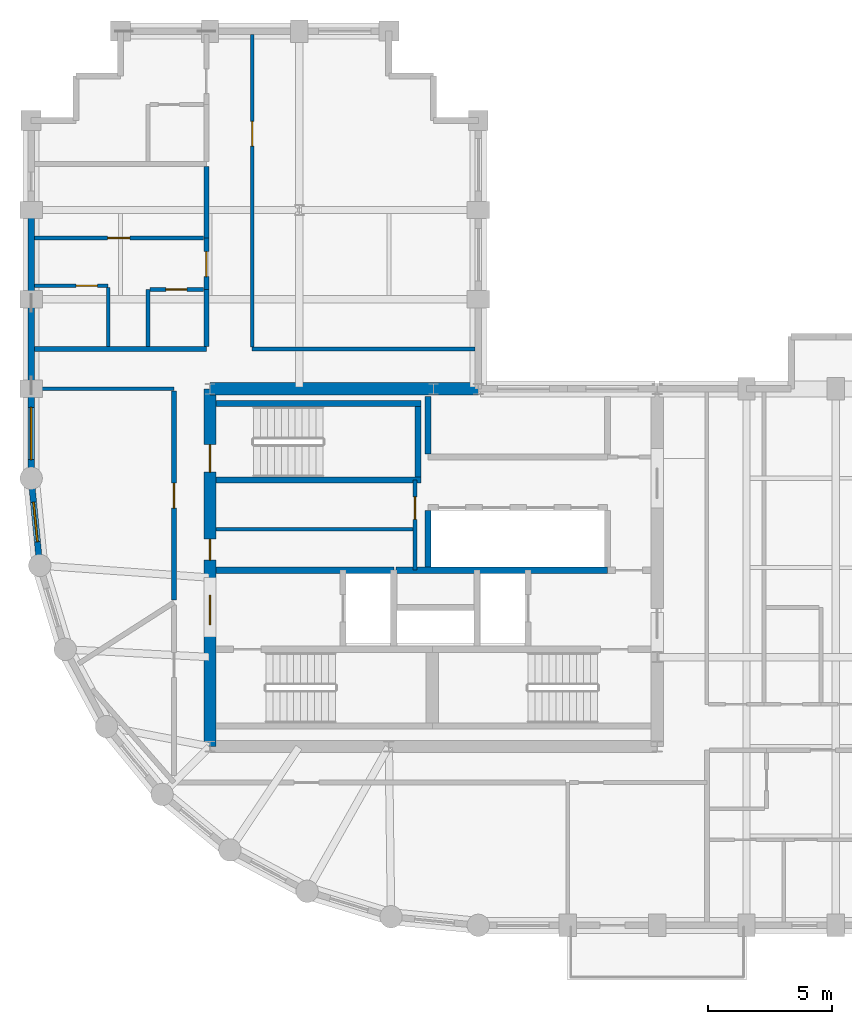
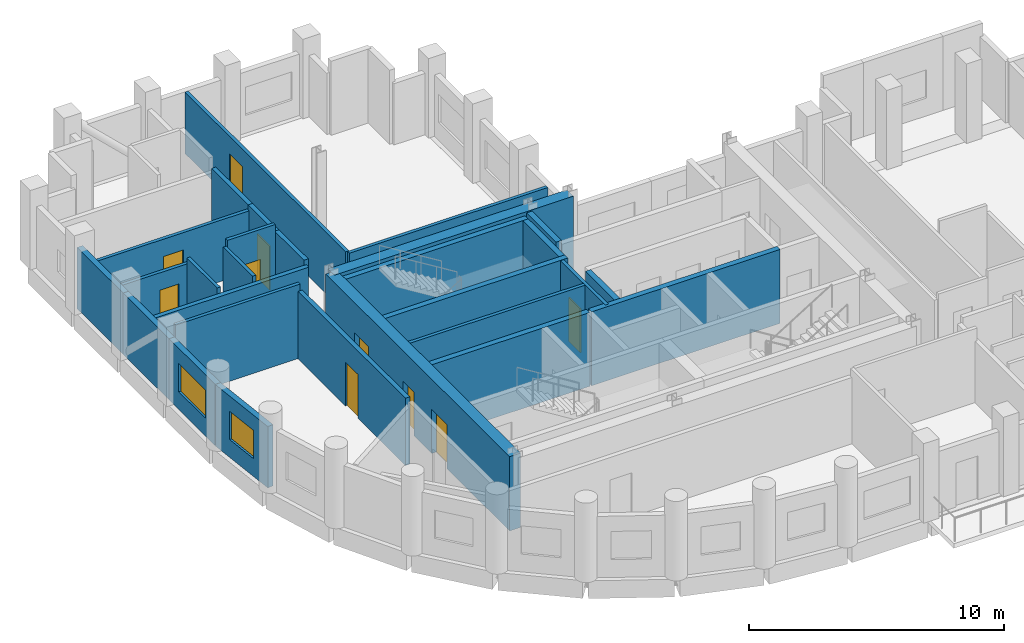
# One storey, part 4 of 8: 28 walls, 10 doors, 2 windows, 12 openings.
"""IFC4 building model written with IfcOpenShell, lengths in metres."""

from ifc_helpers import new_model, si_unit, direction, frame, frame_2d, origin, place, context, subcontext, project, spatial, rectangle, extrude, material, layer, layer_set, type_object, element, fill, save


model = new_model("IFC4")

# Units and contexts
model_context = context("Model", 3, precision=1e-05, world=origin(), true_north=direction((0.0, 1.0)))
body_context = subcontext(model_context, "Body", "Model", "MODEL_VIEW")
ifc_project = project(units=[si_unit("LENGTHUNIT", "METRE"), si_unit("AREAUNIT", "SQUARE_METRE"), si_unit("VOLUMEUNIT", "CUBIC_METRE"), si_unit("PLANEANGLEUNIT", "RADIAN"), si_unit("MASSUNIT", "GRAM", prefix="KILO")], contexts=[model_context])

# Site, building, storey
site_placement = place(None, origin())
site = spatial("IfcSite", under=ifc_project, at=site_placement, CompositionType="ELEMENT")
building_placement = place(site_placement, origin())
building = spatial("IfcBuilding", under=site, at=building_placement, Name="Solnavia Interchange Tower", CompositionType="ELEMENT")
storey_placement = place(building_placement, frame((0.0, 0.0, 178.60009765625)))
storey = spatial("IfcBuildingStorey", under=building, at=storey_placement, Name="L44", CompositionType="ELEMENT", Elevation=178.60009765625)

# Wall, opening, door
ifc_material_1 = material(Name="Gypsum Acoustic Twin-Stud & Mineral Wool", Category="gypsum")
ifc_layer_1 = layer(ifc_material_1, 0.199951171875)
ifc_layer_set_1 = layer_set([ifc_layer_1], Name="Gypsum Acoustic Twin-Stud & Mineral Wool")
wall_type_1 = type_object("IfcWallType", Name="Wall-ApartmentParty-200", PredefinedType="PARTITIONING", material=ifc_layer_set_1)
wall_1_placement = place(storey_placement, frame((12.949951171875, 16.7041015625, 0.0), z_axis=(0.0, 0.0, 1.0), x_axis=(0.0, 1.0, 0.0)))
wall_1 = element("IfcWall", 1, at=wall_1_placement, inside=storey, type_object=wall_type_1, Name="PTW-L44-11 Interior partition wall", PredefinedType="PARTITIONING", context=body_context, shape_type="SweptSolid", body=[
    extrude(rectangle(XDim=8.4169921875, YDim=0.199951171875, at=frame_2d((4.20849609375, 0.0))), origin(), (0.0, 0.0, 1.0), 3.219970703125),
])
opening_1_placement = place(wall_1_placement, frame((3.696044921875, 0.0, 0.0)))
opening_1 = element("IfcOpeningElement", 2, at=opening_1_placement, cuts=wall_1, Name="Opening DR-07", PredefinedType="OPENING", context=body_context, shape_type="SweptSolid", body=[
    extrude(rectangle(XDim=1.0, YDim=2.10009765625, at=frame_2d((0.5, 1.050048828125))), frame((0.0, 0.10986328125, 0.0), z_axis=(0.0, -1.0, 0.0), x_axis=(1.0, 0.0, 0.0)), (0.0, 0.0, 1.0), 0.219970703125),
])
ifc_material_2 = material(Name="Timber & Acoustic Glazed Office Door", Category="wood")
door_type_1 = type_object("IfcDoorType", Name="Door-Office-1000x2100", OperationType="SINGLE_SWING_RIGHT", PredefinedType="DOOR", material=ifc_material_2)
door_1_placement = place(opening_1_placement, origin())
door_1 = element("IfcDoor", 3, at=door_1_placement, inside=storey, type_object=door_type_1, Name="DR-L44-03 Interior room door", OperationType="SINGLE_SWING_LEFT", OverallHeight=2.10009765625, OverallWidth=1.0, PredefinedType="DOOR", context=body_context, shape_type="SweptSolid", body=[
    extrude(rectangle(XDim=1.0, YDim=2.10009765625, at=frame_2d((0.5, 1.050048828125))), frame((0.0, 0.02490234375, 0.0), z_axis=(0.0, -1.0, 0.0), x_axis=(1.0, 0.0, 0.0)), (0.0, 0.0, 1.0), 0.050048828125),
])
fill(opening_1, door_1)

# Walls
wall_2_placement = place(storey_placement, frame((7.3291015625, 26.800048828125, 0.0), z_axis=(0.0, 0.0, 1.0), x_axis=(1.0, 0.0, 0.0)))
element("IfcWall", 4, at=wall_2_placement, inside=storey, type_object=wall_type_1, Name="PTW-L44-35 Interior partition wall", PredefinedType="PARTITIONING", context=body_context, shape_type="SweptSolid", body=[
    extrude(rectangle(XDim=6.9208984375, YDim=0.199951171875, at=frame_2d((3.46044921875, 0.0))), origin(), (0.0, 0.0, 1.0), 2.929931640625),
])
wall_3_placement = place(storey_placement, frame((14.25, 26.904052734375, 0.0), z_axis=(0.0, 0.0, 1.0), x_axis=(0.0, 1.0, 0.0)))
element("IfcWall", 5, at=wall_3_placement, inside=storey, type_object=wall_type_1, Name="PTW-L44-37 Interior partition wall", PredefinedType="PARTITIONING", context=body_context, shape_type="SweptSolid", body=[
    extrude(rectangle(XDim=2.2958984375, YDim=0.199951171875, at=frame_2d((1.14794921875, 0.0))), origin(), (0.0, 0.0, 1.0), 3.169921875),
])

# Wall, opening, door
wall_4_placement = place(storey_placement, frame((14.25, 29.199951171875, 0.0), z_axis=(0.0, 0.0, 1.0), x_axis=(0.0, 1.0, 0.0)))
wall_4 = element("IfcWall", 6, at=wall_4_placement, inside=storey, type_object=wall_type_1, Name="PTW-L44-40 Interior partition wall", PredefinedType="PARTITIONING", context=body_context, shape_type="SweptSolid", body=[
    extrude(rectangle(XDim=2.070068359375, YDim=0.199951171875, at=frame_2d((1.03515625, 0.0))), origin(), (0.0, 0.0, 1.0), 3.169921875),
])
opening_2_placement = place(wall_4_placement, frame((0.52197265625, 0.0, 0.0)))
opening_2 = element("IfcOpeningElement", 7, at=opening_2_placement, cuts=wall_4, Name="Opening DR-06", PredefinedType="OPENING", context=body_context, shape_type="SweptSolid", body=[
    extrude(rectangle(XDim=1.0, YDim=2.10009765625, at=frame_2d((0.5, 1.050048828125))), frame((0.0, 0.10986328125, 0.0), z_axis=(0.0, -1.0, 0.0), x_axis=(1.0, 0.0, 0.0)), (0.0, 0.0, 1.0), 0.219970703125),
])
ifc_material_3 = material(Name="Engineered Timber Acoustic Fire Door", Category="wood")
door_type_2 = type_object("IfcDoorType", Name="Door-FlatEntry-1000x2100", OperationType="SINGLE_SWING_LEFT", PredefinedType="DOOR", material=ifc_material_3)
door_2_placement = place(opening_2_placement, origin())
door_2 = element("IfcDoor", 8, at=door_2_placement, inside=storey, type_object=door_type_2, Name="DR-L44-18 Interior room door", OperationType="SINGLE_SWING_RIGHT", OverallHeight=2.10009765625, OverallWidth=1.0, PredefinedType="DOOR", context=body_context, shape_type="SweptSolid", body=[
    extrude(rectangle(XDim=1.0, YDim=2.10009765625, at=frame_2d((0.5, 1.050048828125))), frame((0.0, 0.02490234375, 0.0), z_axis=(0.0, -1.0, 0.0), x_axis=(1.0, 0.0, 0.0)), (0.0, 0.0, 1.0), 0.050048828125),
])
fill(opening_2, door_2)

# Walls
wall_5_placement = place(storey_placement, frame((14.25, 31.27001953125, 0.0), z_axis=(0.0, 0.0, 1.0), x_axis=(0.0, 1.0, 0.0)))
element("IfcWall", 9, at=wall_5_placement, inside=storey, type_object=wall_type_1, Name="PTW-L44-41 Interior partition wall", PredefinedType="PARTITIONING", context=body_context, shape_type="SweptSolid", body=[
    extrude(rectangle(XDim=2.8759765625, YDim=0.199951171875, at=frame_2d((1.43798828125, 0.0))), origin(), (0.0, 0.0, 1.0), 3.169921875),
])
ifc_material_4 = material(Name="Concrete C40/50", Category="concrete")
ifc_layer_2 = layer(ifc_material_4, 0.25)
ifc_layer_set_2 = layer_set([ifc_layer_2], Name="Concrete C40/50")
wall_type_2 = type_object("IfcWallType", Name="Wall-ExtSpandrel-250", PredefinedType="STANDARD", material=ifc_layer_set_2)
wall_6_placement = place(storey_placement, frame((7.199951171875, 28.800048828125, 0.0), z_axis=(0.0, 0.0, 1.0), x_axis=(0.0, 1.0, 0.0)))
element("IfcWall", 10, at=wall_6_placement, inside=storey, type_object=wall_type_2, Name="EXW-L44-44 Exterior precast spandrel wall", PredefinedType="STANDARD", context=body_context, shape_type="SweptSolid", body=[
    extrude(rectangle(XDim=3.599853515625, YDim=0.25, at=frame_2d((1.7998046875, 0.0))), origin(), (0.0, 0.0, 1.0), 2.929931640625),
])
wall_7_placement = place(storey_placement, frame((7.199951171875, 25.199951171875, 0.0), z_axis=(0.0, 0.0, 1.0), x_axis=(0.0, 1.0, 0.0)))
element("IfcWall", 11, at=wall_7_placement, inside=storey, type_object=wall_type_2, Name="EXW-L44-45 Exterior precast spandrel wall", PredefinedType="STANDARD", context=body_context, shape_type="SweptSolid", body=[
    extrude(rectangle(XDim=3.60009765625, YDim=0.25, at=frame_2d((1.800048828125, 0.0))), origin(), (0.0, 0.0, 1.0), 2.929931640625),
])

# Wall, opening, window
wall_8_placement = place(storey_placement, frame((7.199951171875, 21.60009765625, 0.0), z_axis=(0.0, 0.0, 1.0), x_axis=(0.0, 1.0, 0.0)))
wall_8 = element("IfcWall", 12, at=wall_8_placement, inside=storey, type_object=wall_type_2, Name="EXW-L44-46 Exterior precast spandrel wall", PredefinedType="STANDARD", context=body_context, shape_type="SweptSolid", body=[
    extrude(rectangle(XDim=3.599853515625, YDim=0.25, at=frame_2d((1.7998046875, 0.0))), origin(), (0.0, 0.0, 1.0), 2.929931640625),
])
opening_3_placement = place(wall_8_placement, frame((0.75, 0.0, 0.85009765625)))
opening_3 = element("IfcOpeningElement", 13, at=opening_3_placement, cuts=wall_8, Name="Opening WIN-01", PredefinedType="OPENING", context=body_context, shape_type="SweptSolid", body=[
    extrude(rectangle(XDim=2.10009765625, YDim=1.35009765625, at=frame_2d((1.050048828125, 0.675048828125))), frame((0.0, 0.135009765625, 0.0), z_axis=(0.0, -1.0, 0.0), x_axis=(1.0, 0.0, 0.0)), (0.0, 0.0, 1.0), 0.27001953125),
])
ifc_material_5 = material(Name="Thermal-Break Aluminium & Low-E Glass", Category="aluminium")
window_type_1 = type_object("IfcWindowType", Name="Window-Ribbon-2100x1350", PartitioningType="SINGLE_PANEL", PredefinedType="WINDOW", material=ifc_material_5)
window_1_placement = place(opening_3_placement, origin())
window_1 = element("IfcWindow", 14, at=window_1_placement, inside=storey, type_object=window_type_1, Name="WIN-L44-46 Facade ribbon window", OverallHeight=1.35009765625, OverallWidth=2.10009765625, PartitioningType="SINGLE_PANEL", PredefinedType="WINDOW", context=body_context, shape_type="SweptSolid", body=[
    extrude(rectangle(XDim=2.10009765625, YDim=1.35009765625, at=frame_2d((1.050048828125, 0.675048828125))), frame((0.0, 0.030029296875, 0.0), z_axis=(0.0, -1.0, 0.0), x_axis=(1.0, 0.0, 0.0)), (0.0, 0.0, 1.0), 0.06005859375),
])
fill(opening_3, window_1)

wall_9_placement = place(storey_placement, frame((7.5458984375, 18.087890625, 0.0), z_axis=(0.0, 0.0, 1.0), x_axis=(-0.09802417461, 0.995184033831, 0.0)))
wall_9 = element("IfcWall", 15, at=wall_9_placement, inside=storey, type_object=wall_type_2, Name="EXW-L44-47 Exterior precast spandrel wall", PredefinedType="STANDARD", context=body_context, shape_type="SweptSolid", body=[
    extrude(rectangle(XDim=3.529296875, YDim=0.25, at=frame_2d((1.7646484375, 0.0))), origin(), (0.0, 0.0, 1.0), 2.929931640625),
])
opening_4_placement = place(wall_9_placement, frame((0.965087890625, 0.0, 0.85009765625)))
opening_4 = element("IfcOpeningElement", 16, at=opening_4_placement, cuts=wall_9, Name="Opening WIN-04", PredefinedType="OPENING", context=body_context, shape_type="SweptSolid", body=[
    extrude(rectangle(XDim=1.60009765625, YDim=1.35009765625, at=frame_2d((0.800048828125, 0.675048828125))), frame((0.0, 0.135009765625, 0.0), z_axis=(0.0, -1.0, 0.0), x_axis=(1.0, 0.0, 0.0)), (0.0, 0.0, 1.0), 0.27001953125),
])
window_type_2 = type_object("IfcWindowType", Name="Window-Drum-1600x1350", PartitioningType="SINGLE_PANEL", PredefinedType="WINDOW", material=ifc_material_5)
window_2_placement = place(opening_4_placement, origin())
window_2 = element("IfcWindow", 17, at=window_2_placement, inside=storey, type_object=window_type_2, Name="WIN-L44-47 Facade ribbon window", OverallHeight=1.35009765625, OverallWidth=1.60009765625, PartitioningType="SINGLE_PANEL", PredefinedType="WINDOW", context=body_context, shape_type="SweptSolid", body=[
    extrude(rectangle(XDim=1.60009765625, YDim=1.35009765625, at=frame_2d((0.800048828125, 0.675048828125))), frame((0.0, 0.030029296875, 0.0), z_axis=(0.0, -1.0, 0.0), x_axis=(1.0, 0.0, 0.0)), (0.0, 0.0, 1.0), 0.06005859375),
])
fill(opening_4, window_2)

# Wall, opening, door
ifc_material_6 = material(Name="Gypsum Plasterboard & Steel Stud", Category="steel")
ifc_layer_3 = layer(ifc_material_6, 0.14990234375)
ifc_layer_set_3 = layer_set([ifc_layer_3], Name="Gypsum Plasterboard & Steel Stud")
wall_type_3 = type_object("IfcWallType", Name="Wall-Partition-150", PredefinedType="PARTITIONING", material=ifc_layer_set_3)
wall_10_placement = place(storey_placement, frame((22.64990234375, 17.89990234375, 0.0), z_axis=(0.0, 0.0, 1.0), x_axis=(0.0, 1.0, 0.0)))
wall_10 = element("IfcWall", 18, at=wall_10_placement, inside=storey, type_object=wall_type_3, Name="CSW-L44-E Core shaft wall", PredefinedType="PARTITIONING", context=body_context, shape_type="SweptSolid", body=[
    extrude(rectangle(XDim=3.625, YDim=0.14990234375, at=frame_2d((1.8125, 0.0))), origin(), (0.0, 0.0, 1.0), 3.534912109375),
])
opening_5_placement = place(wall_10_placement, frame((2.050048828125, 0.0, 0.0)))
opening_5 = element("IfcOpeningElement", 19, at=opening_5_placement, cuts=wall_10, Name="Opening DR-09", PredefinedType="OPENING", context=body_context, shape_type="SweptSolid", body=[
    extrude(rectangle(XDim=0.89990234375, YDim=2.10009765625, at=frame_2d((0.449951171875, 1.050048828125))), frame((0.0, 0.0849609375, 0.0), z_axis=(0.0, -1.0, 0.0), x_axis=(1.0, 0.0, 0.0)), (0.0, 0.0, 1.0), 0.169921875),
])
ifc_material_7 = material(Name="Engineered Oak Veneer Door", Category="wood")
door_type_3 = type_object("IfcDoorType", Name="Door-Internal-900x2100", OperationType="SINGLE_SWING_LEFT", PredefinedType="DOOR", material=ifc_material_7)
door_3_placement = place(opening_5_placement, origin())
door_3 = element("IfcDoor", 20, at=door_3_placement, inside=storey, type_object=door_type_3, Name="DR-L44-CS2 Core fire door", OperationType="SINGLE_SWING_LEFT", OverallHeight=2.10009765625, OverallWidth=0.89990234375, PredefinedType="DOOR", context=body_context, shape_type="SweptSolid", body=[
    extrude(rectangle(XDim=0.89990234375, YDim=2.10009765625, at=frame_2d((0.449951171875, 1.050048828125))), frame((0.0, 0.02490234375, 0.0), z_axis=(0.0, -1.0, 0.0), x_axis=(1.0, 0.0, 0.0)), (0.0, 0.0, 1.0), 0.050048828125),
])
fill(opening_5, door_3)

# Walls
wall_11_placement = place(storey_placement, frame((14.64990234375, 19.550048828125, 0.0), z_axis=(0.0, 0.0, 1.0), x_axis=(1.0, 0.0, 0.0)))
element("IfcWall", 21, at=wall_11_placement, inside=storey, type_object=wall_type_3, Name="CSW-L44-H1 Core shaft wall", PredefinedType="PARTITIONING", context=body_context, shape_type="SweptSolid", body=[
    extrude(rectangle(XDim=8.0, YDim=0.14990234375, at=frame_2d((4.0, 0.0))), origin(), (0.0, 0.0, 1.0), 3.534912109375),
])
wall_12_placement = place(storey_placement, frame((7.3291015625, 25.199951171875, 0.0), z_axis=(0.0, 0.0, 1.0), x_axis=(1.0, 0.0, 0.0)))
element("IfcWall", 22, at=wall_12_placement, inside=storey, type_object=wall_type_3, Name="PTW-L44-07 Interior partition wall", PredefinedType="PARTITIONING", context=body_context, shape_type="SweptSolid", body=[
    extrude(rectangle(XDim=5.620849609375, YDim=0.14990234375, at=frame_2d((2.810546875, 0.0))), origin(), (0.0, 0.0, 1.0), 3.534912109375),
])

# Wall, opening, door
wall_13_placement = place(storey_placement, frame((7.3291015625, 31.27001953125, 0.0), z_axis=(0.0, 0.0, 1.0), x_axis=(1.0, 0.0, 0.0)))
wall_13 = element("IfcWall", 23, at=wall_13_placement, inside=storey, type_object=wall_type_3, Name="PTW-L44-42 Interior partition wall", PredefinedType="PARTITIONING", context=body_context, shape_type="SweptSolid", body=[
    extrude(rectangle(XDim=6.81689453125, YDim=0.14990234375, at=frame_2d((3.408447265625, 0.0))), origin(), (0.0, 0.0, 1.0), 2.929931640625),
])
opening_6_placement = place(wall_13_placement, frame((2.946044921875, 0.0, 0.0)))
opening_6 = element("IfcOpeningElement", 24, at=opening_6_placement, cuts=wall_13, Name="Opening DR-09", PredefinedType="OPENING", context=body_context, shape_type="SweptSolid", body=[
    extrude(rectangle(XDim=0.89990234375, YDim=2.10009765625, at=frame_2d((0.449951171875, 1.050048828125))), frame((0.0, 0.0849609375, 0.0), z_axis=(0.0, -1.0, 0.0), x_axis=(1.0, 0.0, 0.0)), (0.0, 0.0, 1.0), 0.169921875),
])
door_4_placement = place(opening_6_placement, origin())
door_4 = element("IfcDoor", 25, at=door_4_placement, inside=storey, type_object=door_type_3, Name="DR-L44-19 Interior room door", OperationType="SINGLE_SWING_LEFT", OverallHeight=2.10009765625, OverallWidth=0.89990234375, PredefinedType="DOOR", context=body_context, shape_type="SweptSolid", body=[
    extrude(rectangle(XDim=0.89990234375, YDim=2.10009765625, at=frame_2d((0.449951171875, 1.050048828125))), frame((0.0, 0.02490234375, 0.0), z_axis=(0.0, -1.0, 0.0), x_axis=(1.0, 0.0, 0.0)), (0.0, 0.0, 1.0), 0.050048828125),
])
fill(opening_6, door_4)

# Wall
wall_14_placement = place(storey_placement, frame((16.10009765625, 26.800048828125, 0.0), z_axis=(0.0, 0.0, 1.0), x_axis=(1.0, 0.0, 0.0)))
element("IfcWall", 26, at=wall_14_placement, inside=storey, type_object=wall_type_3, Name="PTW-L44-49 Interior partition wall", PredefinedType="PARTITIONING", context=body_context, shape_type="SweptSolid", body=[
    extrude(rectangle(XDim=8.970947265625, YDim=0.14990234375, at=frame_2d((4.4853515625, 0.0))), origin(), (0.0, 0.0, 1.0), 2.929931640625),
])

# Wall, opening, door
wall_15_placement = place(storey_placement, frame((16.10009765625, 26.87890625, 0.0), z_axis=(0.0, 0.0, 1.0), x_axis=(0.0, 1.0, 0.0)))
wall_15 = element("IfcWall", 27, at=wall_15_placement, inside=storey, type_object=wall_type_3, Name="PTW-L44-50 Interior partition wall", PredefinedType="PARTITIONING", context=body_context, shape_type="SweptSolid", body=[
    extrude(rectangle(XDim=12.592041015625, YDim=0.14990234375, at=frame_2d((6.2958984375, 0.0))), origin(), (0.0, 0.0, 1.0), 2.929931640625),
])
opening_7_placement = place(wall_15_placement, frame((8.093017578125, 0.0, 0.0)))
opening_7 = element("IfcOpeningElement", 28, at=opening_7_placement, cuts=wall_15, Name="Opening DR-07", PredefinedType="OPENING", context=body_context, shape_type="SweptSolid", body=[
    extrude(rectangle(XDim=1.0, YDim=2.10009765625, at=frame_2d((0.5, 1.050048828125))), frame((0.0, 0.0849609375, 0.0), z_axis=(0.0, -1.0, 0.0), x_axis=(1.0, 0.0, 0.0)), (0.0, 0.0, 1.0), 0.169921875),
])
door_5_placement = place(opening_7_placement, origin())
door_5 = element("IfcDoor", 29, at=door_5_placement, inside=storey, type_object=door_type_1, Name="DR-L44-23 Interior room door", OperationType="SINGLE_SWING_LEFT", OverallHeight=2.10009765625, OverallWidth=1.0, PredefinedType="DOOR", context=body_context, shape_type="SweptSolid", body=[
    extrude(rectangle(XDim=1.0, YDim=2.10009765625, at=frame_2d((0.5, 1.050048828125))), frame((0.0, 0.02490234375, 0.0), z_axis=(0.0, -1.0, 0.0), x_axis=(1.0, 0.0, 0.0)), (0.0, 0.0, 1.0), 0.050048828125),
])
fill(opening_7, door_5)

# Walls
ifc_layer_4 = layer(ifc_material_4, 0.25)
ifc_layer_set_4 = layer_set([ifc_layer_4], Name="Concrete C40/50")
wall_type_4 = type_object("IfcWallType", Name="Wall-ShaftCore-250", PredefinedType="SHEAR", material=ifc_layer_set_4)
for number, where, z_axis, x_axis, name in (
    (30, (14.64990234375, 21.52490234375, 0.0), (0.0, 0.0, 1.0), (1.0, 0.0, 0.0), "SHW-L44-ST3S Core shear wall"),
    (31, (14.64990234375, 24.614990234375, 0.0), (0.0, 0.0, 1.0), (1.0, 0.0, 0.0), "SHW-L44-ST3N Core shear wall"),
):
    element("IfcWall", number, at=place(storey_placement, frame(where, z_axis=z_axis, x_axis=x_axis)), inside=storey, type_object=wall_type_4, Name=name, PredefinedType="SHEAR", context=body_context, shape_type="SweptSolid", body=[
        extrude(rectangle(XDim=8.25, YDim=0.25, at=frame_2d((4.125, 0.0))), origin(), (0.0, 0.0, 1.0), 3.5498046875),
    ])
wall_16_placement = place(storey_placement, frame((22.77490234375, 21.64990234375, 0.0), z_axis=(0.0, 0.0, 1.0), x_axis=(0.0, 1.0, 0.0)))
element("IfcWall", 32, at=wall_16_placement, inside=storey, type_object=wall_type_4, Name="SHW-L44-ST3E Core shear wall", PredefinedType="SHEAR", context=body_context, shape_type="SweptSolid", body=[
    extrude(rectangle(XDim=2.840087890625, YDim=0.25, at=frame_2d((1.419921875, 0.0))), origin(), (0.0, 0.0, 1.0), 3.5498046875),
])
ifc_layer_5 = layer(ifc_material_4, 0.25)
ifc_layer_set_5 = layer_set([ifc_layer_5], Name="Concrete C40/50")
wall_type_5 = type_object("IfcWallType", Name="Wall-ShaftPart-250", PredefinedType="PARTITIONING", material=ifc_layer_set_5)
wall_17_placement = place(storey_placement, frame((14.64990234375, 17.89990234375, 0.0), z_axis=(0.0, 0.0, 1.0), x_axis=(1.0, 0.0, 0.0)))
element("IfcWall", 33, at=wall_17_placement, inside=storey, type_object=wall_type_5, Name="SHW-L44-FFLW-N Core shaft wall", PredefinedType="PARTITIONING", context=body_context, shape_type="SweptSolid", body=[
    extrude(rectangle(XDim=7.150146484375, YDim=0.25, at=frame_2d((3.5751953125, 0.0))), origin(), (0.0, 0.0, 1.0), 3.534912109375),
])
wall_18_placement = place(storey_placement, frame((21.8798828125, 17.89990234375, 0.0), z_axis=(0.0, 0.0, 1.0), x_axis=(1.0, 0.0, 0.0)))
element("IfcWall", 34, at=wall_18_placement, inside=storey, type_object=wall_type_5, Name="SHW-L44-FFLE-N1 Core shaft wall", PredefinedType="PARTITIONING", context=body_context, shape_type="SweptSolid", body=[
    extrude(rectangle(XDim=8.52001953125, YDim=0.25, at=frame_2d((4.260009765625, 0.0))), origin(), (0.0, 0.0, 1.0), 3.534912109375),
])
wall_19_placement = place(storey_placement, frame((23.179931640625, 18.02490234375, 0.0), z_axis=(0.0, 0.0, 1.0), x_axis=(0.0, 1.0, 0.0)))
element("IfcWall", 35, at=wall_19_placement, inside=storey, type_object=wall_type_5, Name="SHW-L44-B2W Core shaft wall", PredefinedType="PARTITIONING", context=body_context, shape_type="SweptSolid", body=[
    extrude(rectangle(XDim=2.27001953125, YDim=0.25, at=frame_2d((1.135009765625, 0.0))), origin(), (0.0, 0.0, 1.0), 3.534912109375),
])
wall_20_placement = place(storey_placement, frame((23.179931640625, 22.5849609375, 0.0), z_axis=(0.0, 0.0, 1.0), x_axis=(0.0, 1.0, 0.0)))
element("IfcWall", 36, at=wall_20_placement, inside=storey, type_object=wall_type_5, Name="SHW-L44-B3W Core shaft wall", PredefinedType="PARTITIONING", context=body_context, shape_type="SweptSolid", body=[
    extrude(rectangle(XDim=2.31494140625, YDim=0.25, at=frame_2d((1.157470703125, 0.0))), origin(), (0.0, 0.0, 1.0), 3.534912109375),
])
ifc_material_8 = material(Name="Concrete C60/75", Category="concrete")
ifc_layer_6 = layer(ifc_material_8, 0.5)
ifc_layer_set_6 = layer_set([ifc_layer_6], Name="Concrete C60/75")
wall_type_6 = type_object("IfcWallType", Name="Wall-ShearCore-500", PredefinedType="SHEAR", material=ifc_layer_set_6)
wall_21_placement = place(storey_placement, frame((14.39990234375, 25.199951171875, 0.0), z_axis=(0.0, 0.0, 1.0), x_axis=(1.0, 0.0, 0.0)))
element("IfcWall", 37, at=wall_21_placement, inside=storey, type_object=wall_type_6, Name="CRW-L44-N Core shear wall", PredefinedType="SHEAR", context=body_context, shape_type="SweptSolid", body=[
    extrude(rectangle(XDim=10.800048828125, YDim=0.5, at=frame_2d((5.39990234375, 0.0))), origin(), (0.0, 0.0, 1.0), 3.5498046875),
])

# Wall, openings, doors
wall_22_placement = place(storey_placement, frame((14.39990234375, 10.800048828125, 0.0), z_axis=(0.0, 0.0, 1.0), x_axis=(0.0, 1.0, 0.0)))
wall_22 = element("IfcWall", 38, at=wall_22_placement, inside=storey, type_object=wall_type_6, Name="CRW-L44-W Core shear wall", PredefinedType="SHEAR", context=body_context, shape_type="SweptSolid", body=[
    extrude(rectangle(XDim=14.39990234375, YDim=0.5, at=frame_2d((7.199951171875, 0.0))), origin(), (0.0, 0.0, 1.0), 3.5498046875),
])
opening_8_placement = place(wall_22_placement, frame((11.050048828125, 0.0, 0.0)))
opening_8 = element("IfcOpeningElement", 39, at=opening_8_placement, cuts=wall_22, Name="Opening DR-01", PredefinedType="OPENING", context=body_context, shape_type="SweptSolid", body=[
    extrude(rectangle(XDim=1.10009765625, YDim=2.10009765625, at=frame_2d((0.550048828125, 1.050048828125))), frame((0.0, 0.260009765625, 0.0), z_axis=(0.0, -1.0, 0.0), x_axis=(1.0, 0.0, 0.0)), (0.0, 0.0, 1.0), 0.52001953125),
])
opening_9_placement = place(wall_22_placement, frame((4.89990234375, 0.0, 0.0)))
opening_9 = element("IfcOpeningElement", 40, at=opening_9_placement, cuts=wall_22, Name="Opening DR-02", PredefinedType="OPENING", context=body_context, shape_type="SweptSolid", body=[
    extrude(rectangle(XDim=1.199951171875, YDim=2.10009765625, at=frame_2d((0.60009765625, 1.050048828125))), frame((0.0, 0.260009765625, 0.0), z_axis=(0.0, -1.0, 0.0), x_axis=(1.0, 0.0, 0.0)), (0.0, 0.0, 1.0), 0.52001953125),
])
opening_10_placement = place(wall_22_placement, frame((7.5, 0.0, 0.0)))
opening_10 = element("IfcOpeningElement", 41, at=opening_10_placement, cuts=wall_22, Name="Opening DR-10", PredefinedType="OPENING", context=body_context, shape_type="SweptSolid", body=[
    extrude(rectangle(XDim=0.85009765625, YDim=2.10009765625, at=frame_2d((0.425048828125, 1.050048828125))), frame((0.0, 0.260009765625, 0.0), z_axis=(0.0, -1.0, 0.0), x_axis=(1.0, 0.0, 0.0)), (0.0, 0.0, 1.0), 0.52001953125),
])
ifc_material_9 = material(Name="Moisture-Resistant Timber Door", Category="wood")
door_type_4 = type_object("IfcDoorType", Name="Door-Bathroom-850x2100", OperationType="SINGLE_SWING_RIGHT", PredefinedType="DOOR", material=ifc_material_9)
door_6_placement = place(opening_10_placement, origin())
door_6 = element("IfcDoor", 42, at=door_6_placement, inside=storey, type_object=door_type_4, Name="DR-L44-CS1 Core fire door", OperationType="SINGLE_SWING_RIGHT", OverallHeight=2.10009765625, OverallWidth=0.85009765625, PredefinedType="DOOR", context=body_context, shape_type="SweptSolid", body=[
    extrude(rectangle(XDim=0.85009765625, YDim=2.10009765625, at=frame_2d((0.425048828125, 1.050048828125))), frame((0.0, 0.02490234375, 0.0), z_axis=(0.0, -1.0, 0.0), x_axis=(1.0, 0.0, 0.0)), (0.0, 0.0, 1.0), 0.050048828125),
])
fill(opening_10, door_6)
ifc_material_10 = material(Name="Steel Fire-Rated Vision-Panel Door", Category="steel")
door_type_5 = type_object("IfcDoorType", Name="Door-LobbyFire-1200x2100", OperationType="SINGLE_SWING_RIGHT", PredefinedType="DOOR", material=ifc_material_10)
door_7_placement = place(opening_9_placement, origin())
door_7 = element("IfcDoor", 43, at=door_7_placement, inside=storey, type_object=door_type_5, Name="DR-L44-FFL1W Core fire door", OperationType="SINGLE_SWING_RIGHT", OverallHeight=2.10009765625, OverallWidth=1.199951171875, PredefinedType="DOOR", context=body_context, shape_type="SweptSolid", body=[
    extrude(rectangle(XDim=1.199951171875, YDim=2.10009765625, at=frame_2d((0.60009765625, 1.050048828125))), frame((0.0, 0.02490234375, 0.0), z_axis=(0.0, -1.0, 0.0), x_axis=(1.0, 0.0, 0.0)), (0.0, 0.0, 1.0), 0.050048828125),
])
fill(opening_9, door_7)
ifc_material_11 = material(Name="Steel Fire-Rated Leaf & Frame", Category="steel")
door_type_6 = type_object("IfcDoorType", Name="Door-StairFire-1100x2100", OperationType="SINGLE_SWING_LEFT", PredefinedType="DOOR", material=ifc_material_11)
door_8_placement = place(opening_8_placement, origin())
door_8 = element("IfcDoor", 44, at=door_8_placement, inside=storey, type_object=door_type_6, Name="DR-L44-ST3 Core fire door", OperationType="SINGLE_SWING_RIGHT", OverallHeight=2.10009765625, OverallWidth=1.10009765625, PredefinedType="DOOR", context=body_context, shape_type="SweptSolid", body=[
    extrude(rectangle(XDim=1.10009765625, YDim=2.10009765625, at=frame_2d((0.550048828125, 1.050048828125))), frame((0.0, 0.02490234375, 0.0), z_axis=(0.0, -1.0, 0.0), x_axis=(1.0, 0.0, 0.0)), (0.0, 0.0, 1.0), 0.050048828125),
])
fill(opening_8, door_8)

# Wall
ifc_material_12 = material(Name="Moisture-Resistant Gypsum & Steel Stud", Category="steel")
ifc_layer_7 = layer(ifc_material_12, 0.14990234375)
ifc_layer_set_7 = layer_set([ifc_layer_7], Name="Moisture-Resistant Gypsum & Steel Stud")
wall_type_7 = type_object("IfcWallType", Name="Wall-WetRoom-150", PredefinedType="PARTITIONING", material=ifc_layer_set_7)
wall_23_placement = place(storey_placement, frame((11.89990234375, 26.904052734375, 0.0), z_axis=(0.0, 0.0, 1.0), x_axis=(0.0, 1.0, 0.0)))
element("IfcWall", 45, at=wall_23_placement, inside=storey, type_object=wall_type_7, Name="PTW-L44-38 Interior partition wall", PredefinedType="PARTITIONING", context=body_context, shape_type="SweptSolid", body=[
    extrude(rectangle(XDim=2.2958984375, YDim=0.14990234375, at=frame_2d((1.14794921875, 0.0))), origin(), (0.0, 0.0, 1.0), 3.219970703125),
])

# Wall, opening, door
wall_24_placement = place(storey_placement, frame((11.97900390625, 29.199951171875, 0.0), z_axis=(0.0, 0.0, 1.0), x_axis=(1.0, 0.0, 0.0)))
wall_24 = element("IfcWall", 46, at=wall_24_placement, inside=storey, type_object=wall_type_7, Name="PTW-L44-39 Interior partition wall", PredefinedType="PARTITIONING", context=body_context, shape_type="SweptSolid", body=[
    extrude(rectangle(XDim=2.1669921875, YDim=0.14990234375, at=frame_2d((1.08349609375, 0.0))), origin(), (0.0, 0.0, 1.0), 3.534912109375),
])
opening_11_placement = place(wall_24_placement, frame((0.64111328125, 0.0, 0.0)))
opening_11 = element("IfcOpeningElement", 47, at=opening_11_placement, cuts=wall_24, Name="Opening DR-10", PredefinedType="OPENING", context=body_context, shape_type="SweptSolid", body=[
    extrude(rectangle(XDim=0.85009765625, YDim=2.10009765625, at=frame_2d((0.425048828125, 1.050048828125))), frame((0.0, 0.0849609375, 0.0), z_axis=(0.0, -1.0, 0.0), x_axis=(1.0, 0.0, 0.0)), (0.0, 0.0, 1.0), 0.169921875),
])
door_9_placement = place(opening_11_placement, origin())
door_9 = element("IfcDoor", 48, at=door_9_placement, inside=storey, type_object=door_type_4, Name="DR-L44-17 Interior room door", OperationType="SINGLE_SWING_RIGHT", OverallHeight=2.10009765625, OverallWidth=0.85009765625, PredefinedType="DOOR", context=body_context, shape_type="SweptSolid", body=[
    extrude(rectangle(XDim=0.85009765625, YDim=2.10009765625, at=frame_2d((0.425048828125, 1.050048828125))), frame((0.0, 0.02490234375, 0.0), z_axis=(0.0, -1.0, 0.0), x_axis=(1.0, 0.0, 0.0)), (0.0, 0.0, 1.0), 0.050048828125),
])
fill(opening_11, door_9)

wall_25_placement = place(storey_placement, frame((7.3291015625, 29.35009765625, 0.0), z_axis=(0.0, 0.0, 1.0), x_axis=(1.0, 0.0, 0.0)))
wall_25 = element("IfcWall", 49, at=wall_25_placement, inside=storey, type_object=wall_type_7, Name="PTW-L44-43 Interior partition wall", PredefinedType="PARTITIONING", context=body_context, shape_type="SweptSolid", body=[
    extrude(rectangle(XDim=2.970947265625, YDim=0.14990234375, at=frame_2d((1.4853515625, 0.0))), origin(), (0.0, 0.0, 1.0), 2.929931640625),
])
opening_12_placement = place(wall_25_placement, frame((1.68505859375, 0.0, 0.0)))
opening_12 = element("IfcOpeningElement", 50, at=opening_12_placement, cuts=wall_25, Name="Opening DR-10", PredefinedType="OPENING", context=body_context, shape_type="SweptSolid", body=[
    extrude(rectangle(XDim=0.85009765625, YDim=2.10009765625, at=frame_2d((0.425048828125, 1.050048828125))), frame((0.0, 0.0849609375, 0.0), z_axis=(0.0, -1.0, 0.0), x_axis=(1.0, 0.0, 0.0)), (0.0, 0.0, 1.0), 0.169921875),
])
door_10_placement = place(opening_12_placement, origin())
door_10 = element("IfcDoor", 51, at=door_10_placement, inside=storey, type_object=door_type_4, Name="DR-L44-20 Interior room door", OperationType="SINGLE_SWING_RIGHT", OverallHeight=2.10009765625, OverallWidth=0.85009765625, PredefinedType="DOOR", context=body_context, shape_type="SweptSolid", body=[
    extrude(rectangle(XDim=0.85009765625, YDim=2.10009765625, at=frame_2d((0.425048828125, 1.050048828125))), frame((0.0, 0.02490234375, 0.0), z_axis=(0.0, -1.0, 0.0), x_axis=(1.0, 0.0, 0.0)), (0.0, 0.0, 1.0), 0.050048828125),
])
fill(opening_12, door_10)

# Wall
wall_26_placement = place(storey_placement, frame((10.300048828125, 26.904052734375, 0.0), z_axis=(0.0, 0.0, 1.0), x_axis=(0.0, 1.0, 0.0)))
element("IfcWall", 52, at=wall_26_placement, inside=storey, type_object=wall_type_7, Name="PTW-L44-44 Interior partition wall", PredefinedType="PARTITIONING", context=body_context, shape_type="SweptSolid", body=[
    extrude(rectangle(XDim=2.366943359375, YDim=0.14990234375, at=frame_2d((1.18359375, 0.0))), origin(), (0.0, 0.0, 1.0), 3.219970703125),
])

save(model, "model.ifc")
